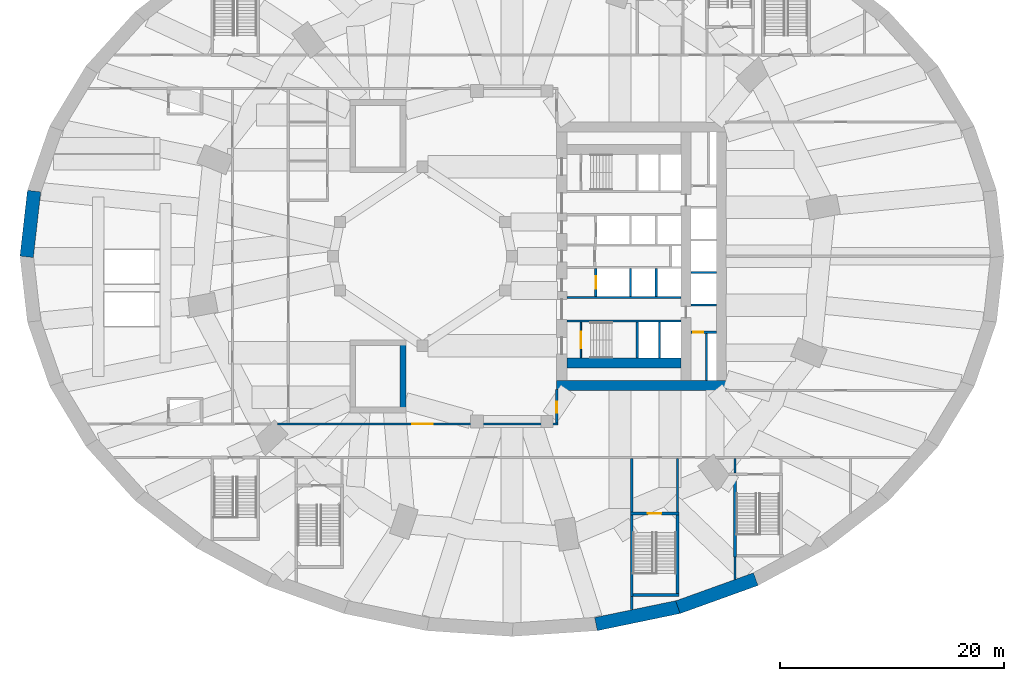
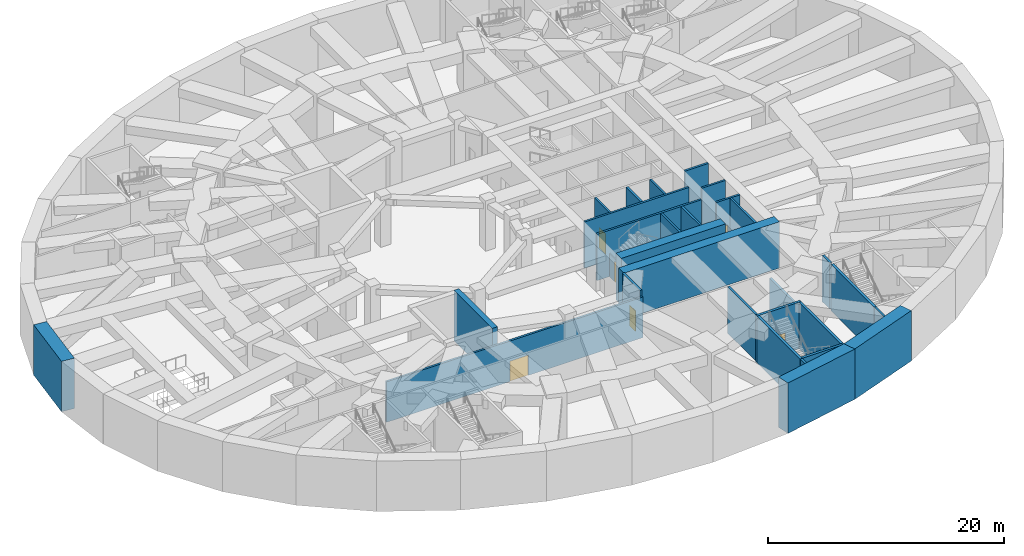
# One storey, part 5 of 14: 30 walls, 6 doors, 6 openings.
"""IFC4 building model written with IfcOpenShell, lengths in metres."""

from ifc_helpers import new_model, si_unit, direction, frame, frame_2d, origin, place, context, subcontext, project, spatial, rectangle, extrude, material, layer, layer_set, type_object, element, fill, save


model = new_model("IFC4")

# Units and contexts
model_context = context("Model", 3, precision=1e-05, world=origin(), true_north=direction((0.0, 1.0)))
body_context = subcontext(model_context, "Body", "Model", "MODEL_VIEW")
ifc_project = project(units=[si_unit("LENGTHUNIT", "METRE"), si_unit("AREAUNIT", "SQUARE_METRE"), si_unit("VOLUMEUNIT", "CUBIC_METRE"), si_unit("PLANEANGLEUNIT", "RADIAN"), si_unit("MASSUNIT", "GRAM", prefix="KILO")], contexts=[model_context])

# Site, building, storey
site_placement = place(None, origin())
site = spatial("IfcSite", under=ifc_project, at=site_placement, CompositionType="ELEMENT")
building_placement = place(site_placement, origin())
building = spatial("IfcBuilding", under=site, at=building_placement, Name="Taillehof Tower", CompositionType="ELEMENT")
storey_placement = place(building_placement, frame((0.0, 0.0, -5.199951171875)))
storey = spatial("IfcBuildingStorey", under=building, at=storey_placement, Name="B1", CompositionType="ELEMENT", Elevation=-5.199951171875)

# Wall, opening, door
ifc_material_1 = material(Name="Calcium silicate blockwork", Category="masonry")
ifc_layer_1 = layer(ifc_material_1, 0.199951171875)
ifc_layer_set_1 = layer_set([ifc_layer_1], Name="Compartment wall EI 60 200 mm")
wall_type_1 = type_object("IfcWallType", Name="Compartment wall EI 60 200 mm", PredefinedType="PARTITIONING", material=ifc_layer_set_1)
wall_1_placement = place(storey_placement, frame((-20.97119140625, -15.0, 0.0), z_axis=(0.0, 0.0, 1.0), x_axis=(1.0, 0.0, 0.0)))
wall_1 = element("IfcWall", 1, at=wall_1_placement, inside=storey, type_object=wall_type_1, Name="Wall B1-14 / B1-18", PredefinedType="PARTITIONING", context=body_context, shape_type="SweptSolid", body=[
    extrude(rectangle(XDim=25.0712890625, YDim=0.199951171875, at=frame_2d((12.53564453125, 0.0))), origin(), (0.0, 0.0, 1.0), 4.18994140625),
])
opening_1_placement = place(wall_1_placement, frame((12.071044921875, 0.0, 0.0)))
opening_1 = element("IfcOpeningElement", 2, at=opening_1_placement, cuts=wall_1, Name="Opening DB155", PredefinedType="OPENING", context=body_context, shape_type="SweptSolid", body=[
    extrude(rectangle(XDim=1.800048828125, YDim=2.10009765625, at=frame_2d((0.89990234375, 1.050048828125))), frame((0.0, 0.10986328125, 0.0), z_axis=(0.0, -1.0, 0.0), x_axis=(1.0, 0.0, 0.0)), (0.0, 0.0, 1.0), 0.219970703125),
])
ifc_material_2 = material(Name="Hollow metal door set")
door_type_1 = type_object("IfcDoorType", Name="Double door 1800 x 2100 FD60S", OperationType="DOUBLE_DOOR_SINGLE_SWING", PredefinedType="DOOR", material=ifc_material_2)
door_1_placement = place(opening_1_placement, origin())
door_1 = element("IfcDoor", 3, at=door_1_placement, inside=storey, type_object=door_type_1, Name="Door DB155", OperationType="DOUBLE_DOOR_SINGLE_SWING", OverallHeight=2.10009765625, OverallWidth=1.800048828125, PredefinedType="DOOR", context=body_context, shape_type="SweptSolid", body=[
    extrude(rectangle(XDim=1.800048828125, YDim=2.10009765625, at=frame_2d((0.89990234375, 1.050048828125))), frame((0.0, 0.02490234375, 0.0), z_axis=(0.0, -1.0, 0.0), x_axis=(1.0, 0.0, 0.0)), (0.0, 0.0, 1.0), 0.050048828125),
])
fill(opening_1, door_1)

wall_2_placement = place(storey_placement, frame((4.0, -14.89990234375, 0.0), z_axis=(0.0, 0.0, 1.0), x_axis=(0.0, 1.0, 0.0)))
wall_2 = element("IfcWall", 4, at=wall_2_placement, inside=storey, type_object=wall_type_1, Name="Wall B1-16 / B1-18", PredefinedType="PARTITIONING", context=body_context, shape_type="SweptSolid", body=[
    extrude(rectangle(XDim=3.0, YDim=0.199951171875, at=frame_2d((1.5, 0.0))), origin(), (0.0, 0.0, 1.0), 4.7900390625),
])
opening_2_placement = place(wall_2_placement, frame((0.89990234375, 0.0, 0.0)))
opening_2 = element("IfcOpeningElement", 5, at=opening_2_placement, cuts=wall_2, Name="Opening DB157", PredefinedType="OPENING", context=body_context, shape_type="SweptSolid", body=[
    extrude(rectangle(XDim=1.0, YDim=2.10009765625, at=frame_2d((0.5, 1.050048828125))), frame((0.0, 0.10986328125, 0.0), z_axis=(0.0, -1.0, 0.0), x_axis=(1.0, 0.0, 0.0)), (0.0, 0.0, 1.0), 0.219970703125),
])
ifc_material_3 = material(Name="Hollow metal door set")
door_type_2 = type_object("IfcDoorType", Name="Single door 1000 x 2100 FD60S", OperationType="SINGLE_SWING_LEFT", PredefinedType="DOOR", material=ifc_material_3)
door_2_placement = place(opening_2_placement, origin())
door_2 = element("IfcDoor", 6, at=door_2_placement, inside=storey, type_object=door_type_2, Name="Door DB157", OperationType="SINGLE_SWING_LEFT", OverallHeight=2.10009765625, OverallWidth=1.0, PredefinedType="DOOR", context=body_context, shape_type="SweptSolid", body=[
    extrude(rectangle(XDim=1.0, YDim=2.10009765625, at=frame_2d((0.5, 1.050048828125))), frame((0.0, 0.02490234375, 0.0), z_axis=(0.0, -1.0, 0.0), x_axis=(1.0, 0.0, 0.0)), (0.0, 0.0, 1.0), 0.050048828125),
])
fill(opening_2, door_2)

# Walls
wall_3_placement = place(storey_placement, frame((10.699951171875, -31.59619140625, 0.0), z_axis=(0.0, 0.0, 1.0), x_axis=(0.0, 1.0, 0.0)))
element("IfcWall", 7, at=wall_3_placement, inside=storey, type_object=wall_type_1, Name="Wall B1-30 / B1-32", PredefinedType="PARTITIONING", context=body_context, shape_type="SweptSolid", body=[
    extrude(rectangle(XDim=1.18115234375, YDim=0.199951171875, at=frame_2d((0.590576171875, 0.0))), origin(), (0.0, 0.0, 1.0), 4.7900390625),
])
wall_4_placement = place(storey_placement, frame((10.699951171875, -22.875, 0.0), z_axis=(0.0, 0.0, 1.0), x_axis=(0.0, 1.0, 0.0)))
element("IfcWall", 8, at=wall_4_placement, inside=storey, type_object=wall_type_1, Name="Wall B1-30 / B1-31", PredefinedType="PARTITIONING", context=body_context, shape_type="SweptSolid", body=[
    extrude(rectangle(XDim=4.77490234375, YDim=0.199951171875, at=frame_2d((2.387451171875, 0.0))), origin(), (0.0, 0.0, 1.0), 4.7900390625),
])
wall_5_placement = place(storey_placement, frame((14.800048828125, -22.875, 0.0), z_axis=(0.0, 0.0, 1.0), x_axis=(0.0, 1.0, 0.0)))
element("IfcWall", 9, at=wall_5_placement, inside=storey, type_object=wall_type_1, Name="Wall B1-31 / B1-32", PredefinedType="PARTITIONING", context=body_context, shape_type="SweptSolid", body=[
    extrude(rectangle(XDim=4.77490234375, YDim=0.199951171875, at=frame_2d((2.387451171875, 0.0))), origin(), (0.0, 0.0, 1.0), 4.239990234375),
])
wall_6_placement = place(storey_placement, frame((19.949951171875, -28.89306640625, 0.0), z_axis=(0.0, 0.0, 1.0), x_axis=(0.0, 1.0, 0.0)))
element("IfcWall", 10, at=wall_6_placement, inside=storey, type_object=wall_type_1, Name="Wall B1-32 / B1-34", PredefinedType="PARTITIONING", context=body_context, shape_type="SweptSolid", body=[
    extrude(rectangle(XDim=1.97802734375, YDim=0.199951171875, at=frame_2d((0.989013671875, 0.0))), origin(), (0.0, 0.0, 1.0), 4.7900390625),
])
wall_7_placement = place(storey_placement, frame((19.949951171875, -19.375, 0.0), z_axis=(0.0, 0.0, 1.0), x_axis=(0.0, 1.0, 0.0)))
element("IfcWall", 11, at=wall_7_placement, inside=storey, type_object=wall_type_1, Name="Wall B1-32 / B1-33", PredefinedType="PARTITIONING", context=body_context, shape_type="SweptSolid", body=[
    extrude(rectangle(XDim=1.27490234375, YDim=0.199951171875, at=frame_2d((0.637451171875, 0.0))), origin(), (0.0, 0.0, 1.0), 4.7900390625),
])

# Wall, opening, door
ifc_material_4 = material(Name="Calcium silicate masonry", Category="masonry")
ifc_layer_2 = layer(ifc_material_4, 0.199951171875)
ifc_layer_set_2 = layer_set([ifc_layer_2], Name="Compartment wall calcium silicate 200")
wall_type_2 = type_object("IfcWallType", Name="Compartment wall calcium silicate 200", PredefinedType="PARTITIONING", material=ifc_layer_set_2)
wall_8_placement = place(storey_placement, frame((16.0, -6.800048828125, 0.0), z_axis=(0.0, 0.0, 1.0), x_axis=(1.0, 0.0, 0.0)))
wall_8 = element("IfcWall", 12, at=wall_8_placement, inside=storey, type_object=wall_type_2, Name="Compartment wall FW", PredefinedType="PARTITIONING", context=body_context, shape_type="SweptSolid", body=[
    extrude(rectangle(XDim=2.300048828125, YDim=0.199951171875, at=frame_2d((1.14990234375, 0.0))), origin(), (0.0, 0.0, 1.0), 4.7900390625),
])
opening_3_placement = place(wall_8_placement, frame((0.199951171875, 0.0, 0.0)))
opening_3 = element("IfcOpeningElement", 13, at=opening_3_placement, cuts=wall_8, Name="Opening DB114", PredefinedType="OPENING", context=body_context, shape_type="SweptSolid", body=[
    extrude(rectangle(XDim=0.89990234375, YDim=2.10009765625, at=frame_2d((0.449951171875, 1.050048828125))), frame((0.0, 0.10986328125, 0.0), z_axis=(0.0, -1.0, 0.0), x_axis=(1.0, 0.0, 0.0)), (0.0, 0.0, 1.0), 0.219970703125),
])
ifc_material_5 = material(Name="Steel-faced fire door", Category="steel")
door_type_3 = type_object("IfcDoorType", Name="Riser and service room door 900x2100", OperationType="SINGLE_SWING_LEFT", PredefinedType="DOOR", material=ifc_material_5)
door_3_placement = place(opening_3_placement, origin())
door_3 = element("IfcDoor", 14, at=door_3_placement, inside=storey, type_object=door_type_3, Name="Door Comms Room", OperationType="SINGLE_SWING_LEFT", OverallHeight=2.10009765625, OverallWidth=0.89990234375, PredefinedType="DOOR", context=body_context, shape_type="SweptSolid", body=[
    extrude(rectangle(XDim=0.89990234375, YDim=2.10009765625, at=frame_2d((0.449951171875, 1.050048828125))), frame((0.0, 0.02490234375, 0.0), z_axis=(0.0, -1.0, 0.0), x_axis=(1.0, 0.0, 0.0)), (0.0, 0.0, 1.0), 0.050048828125),
])
fill(opening_3, door_3)

# Walls
wall_9_placement = place(storey_placement, frame((17.39990234375, -11.10009765625, 0.0), z_axis=(0.0, 0.0, 1.0), x_axis=(0.0, 1.0, 0.0)))
element("IfcWall", 15, at=wall_9_placement, inside=storey, type_object=wall_type_2, Name="Compartment wall FW", PredefinedType="PARTITIONING", context=body_context, shape_type="SweptSolid", body=[
    extrude(rectangle(XDim=4.2001953125, YDim=0.199951171875, at=frame_2d((2.10009765625, 0.0))), origin(), (0.0, 0.0, 1.0), 4.7900390625),
])
ifc_material_6 = material(Name="Concrete C80/95", Category="concrete")
ifc_layer_3 = layer(ifc_material_6, 0.89990234375)
ifc_layer_set_3 = layer_set([ifc_layer_3], Name="Core wall C80/95 900")
wall_type_3 = type_object("IfcWallType", Name="Core wall C80/95 900", PredefinedType="SHEAR", material=ifc_layer_set_3)
wall_10_placement = place(storey_placement, frame((4.0, -11.550048828125, 0.0), z_axis=(0.0, 0.0, 1.0), x_axis=(1.0, 0.0, 0.0)))
element("IfcWall", 16, at=wall_10_placement, inside=storey, type_object=wall_type_3, Name="Core wall CW04", PredefinedType="SHEAR", context=body_context, shape_type="SweptSolid", body=[
    extrude(rectangle(XDim=15.199951171875, YDim=0.89990234375, at=frame_2d((7.60009765625, 0.0))), origin(), (0.0, 0.0, 1.0), 4.7900390625),
])
wall_11_placement = place(storey_placement, frame((4.89990234375, -9.550048828125, 0.0), z_axis=(0.0, 0.0, 1.0), x_axis=(1.0, 0.0, 0.0)))
element("IfcWall", 17, at=wall_11_placement, inside=storey, type_object=wall_type_3, Name="Core wall CW07", PredefinedType="SHEAR", context=body_context, shape_type="SweptSolid", body=[
    extrude(rectangle(XDim=10.2001953125, YDim=0.89990234375, at=frame_2d((5.10009765625, 0.0))), origin(), (0.0, 0.0, 1.0), 4.7900390625),
])
ifc_material_7 = material(Name="Concrete C35/45", Category="concrete")
ifc_layer_4 = layer(ifc_material_7, 1.199951171875)
ifc_layer_set_4 = layer_set([ifc_layer_4], Name="Diaphragm wall 1200")
wall_type_4 = type_object("IfcWallType", Name="Diaphragm wall 1200", PredefinedType="USERDEFINED", material=ifc_layer_set_4)
wall_12_placement = place(storey_placement, frame((-42.73681640625, 5.822509765625, 0.0), z_axis=(0.0, 0.0, 1.0), x_axis=(-0.112525170728, -0.993648874579, 0.0)))
element("IfcWall", 18, at=wall_12_placement, inside=storey, type_object=wall_type_4, Name="Diaphragm wall DW18", ObjectType="Retaining wall", PredefinedType="USERDEFINED", context=body_context, shape_type="SweptSolid", body=[
    extrude(rectangle(XDim=5.912353515625, YDim=1.199951171875, at=frame_2d((2.9560546875, 0.0))), origin(), (0.0, 0.0, 1.0), 5.199951171875),
])
wall_13_placement = place(storey_placement, frame((7.507568359375, -32.898193359375, 0.0), z_axis=(0.0, 0.0, 1.0), x_axis=(0.979235314674, 0.202726906196, 0.0)))
element("IfcWall", 19, at=wall_13_placement, inside=storey, type_object=wall_type_4, Name="Diaphragm wall DW29", ObjectType="Retaining wall", PredefinedType="USERDEFINED", context=body_context, shape_type="SweptSolid", body=[
    extrude(rectangle(XDim=7.5869140625, YDim=1.199951171875, at=frame_2d((3.79345703125, 0.0))), origin(), (0.0, 0.0, 1.0), 5.199951171875),
])
wall_14_placement = place(storey_placement, frame((14.836181640625, -31.388427734375, 0.0), z_axis=(0.0, 0.0, 1.0), x_axis=(0.940789454531, 0.338991448628, 0.0)))
element("IfcWall", 20, at=wall_14_placement, inside=storey, type_object=wall_type_4, Name="Diaphragm wall DW30", ObjectType="Retaining wall", PredefinedType="USERDEFINED", context=body_context, shape_type="SweptSolid", body=[
    extrude(rectangle(XDim=7.40576171875, YDim=1.199951171875, at=frame_2d((3.702880859375, 0.0))), origin(), (0.0, 0.0, 1.0), 5.199951171875),
])
ifc_material_8 = material(Name="Concrete C50/60", Category="concrete")
ifc_layer_5 = layer(ifc_material_8, 0.199951171875)
ifc_layer_set_5 = layer_set([ifc_layer_5], Name="Shaft wall C50/60 200")
wall_type_5 = type_object("IfcWallType", Name="Shaft wall C50/60 200", PredefinedType="SHEAR", material=ifc_layer_set_5)
for number, where, z_axis, x_axis, name in (
    (21, (4.89990234375, -3.699951171875, 0.0), (0.0, 0.0, 1.0), (1.0, 0.0, 0.0), "Shaft wall SW"),
    (22, (4.89990234375, -5.800048828125, 0.0), (0.0, 0.0, 1.0), (1.0, 0.0, 0.0), "Shaft wall SW"),
):
    element("IfcWall", number, at=place(storey_placement, frame(where, z_axis=z_axis, x_axis=x_axis)), inside=storey, type_object=wall_type_5, Name=name, PredefinedType="SHEAR", context=body_context, shape_type="SweptSolid", body=[
        extrude(rectangle(XDim=10.2001953125, YDim=0.199951171875, at=frame_2d((5.10009765625, 0.0))), origin(), (0.0, 0.0, 1.0), 4.7900390625),
    ])
for number, where, z_axis, x_axis, name in (
    (23, (11.199951171875, -9.10009765625, 0.0), (0.0, 0.0, 1.0), (0.0, 1.0, 0.0), "Shaft wall SW"),
    (24, (13.199951171875, -9.10009765625, 0.0), (0.0, 0.0, 1.0), (0.0, 1.0, 0.0), "Shaft wall SW"),
):
    element("IfcWall", number, at=place(storey_placement, frame(where, z_axis=z_axis, x_axis=x_axis)), inside=storey, type_object=wall_type_5, Name=name, PredefinedType="SHEAR", context=body_context, shape_type="SweptSolid", body=[
        extrude(rectangle(XDim=3.2001953125, YDim=0.199951171875, at=frame_2d((1.60009765625, 0.0))), origin(), (0.0, 0.0, 1.0), 4.7900390625),
    ])

# Wall, opening, door
wall_15_placement = place(storey_placement, frame((7.5, -3.60009765625, 0.0), z_axis=(0.0, 0.0, 1.0), x_axis=(0.0, 1.0, 0.0)))
wall_15 = element("IfcWall", 25, at=wall_15_placement, inside=storey, type_object=wall_type_5, Name="Shaft wall SW", PredefinedType="SHEAR", context=body_context, shape_type="SweptSolid", body=[
    extrude(rectangle(XDim=2.5, YDim=0.199951171875, at=frame_2d((1.25, 0.0))), origin(), (0.0, 0.0, 1.0), 4.7900390625),
])
opening_4_placement = place(wall_15_placement, frame((0.699951171875, 0.0, 0.0)))
opening_4 = element("IfcOpeningElement", 26, at=opening_4_placement, cuts=wall_15, Name="Opening LD1", PredefinedType="OPENING", context=body_context, shape_type="SweptSolid", body=[
    extrude(rectangle(XDim=1.10009765625, YDim=2.10009765625, at=frame_2d((0.550048828125, 1.050048828125))), frame((0.0, 0.10986328125, 0.0), z_axis=(0.0, -1.0, 0.0), x_axis=(1.0, 0.0, 0.0)), (0.0, 0.0, 1.0), 0.219970703125),
])
ifc_material_9 = material(Name="Stainless steel", Category="steel")
door_type_4 = type_object("IfcDoorType", Name="Lift landing door LD1 1100x2100", OperationType="DOUBLE_DOOR_SLIDING", PredefinedType="DOOR", material=ifc_material_9)
door_4_placement = place(opening_4_placement, origin())
door_4 = element("IfcDoor", 27, at=door_4_placement, inside=storey, type_object=door_type_4, Name="Landing door FF2", OperationType="DOUBLE_DOOR_SLIDING", OverallHeight=2.10009765625, OverallWidth=1.10009765625, PredefinedType="DOOR", context=body_context, shape_type="SweptSolid", body=[
    extrude(rectangle(XDim=1.10009765625, YDim=2.10009765625, at=frame_2d((0.550048828125, 1.050048828125))), frame((0.0, 0.02490234375, 0.0), z_axis=(0.0, -1.0, 0.0), x_axis=(1.0, 0.0, 0.0)), (0.0, 0.0, 1.0), 0.050048828125),
])
fill(opening_4, door_4)

# Walls
for number, where, z_axis, x_axis, name in (
    (28, (10.60009765625, -3.60009765625, 0.0), (0.0, 0.0, 1.0), (0.0, 1.0, 0.0), "Shaft wall SW"),
    (29, (12.89990234375, -3.60009765625, 0.0), (0.0, 0.0, 1.0), (0.0, 1.0, 0.0), "Shaft wall SW"),
):
    element("IfcWall", number, at=place(storey_placement, frame(where, z_axis=z_axis, x_axis=x_axis)), inside=storey, type_object=wall_type_5, Name=name, PredefinedType="SHEAR", context=body_context, shape_type="SweptSolid", body=[
        extrude(rectangle(XDim=2.5, YDim=0.199951171875, at=frame_2d((1.25, 0.0))), origin(), (0.0, 0.0, 1.0), 4.7900390625),
    ])
for number, where, z_axis, x_axis, name in (
    (30, (16.0, -4.35009765625, 0.0), (0.0, 0.0, 1.0), (1.0, 0.0, 0.0), "Shaft wall SW"),
    (31, (16.0, -1.449951171875, 0.0), (0.0, 0.0, 1.0), (1.0, 0.0, 0.0), "Shaft wall SW"),
):
    element("IfcWall", number, at=place(storey_placement, frame(where, z_axis=z_axis, x_axis=x_axis)), inside=storey, type_object=wall_type_5, Name=name, PredefinedType="SHEAR", context=body_context, shape_type="SweptSolid", body=[
        extrude(rectangle(XDim=2.300048828125, YDim=0.199951171875, at=frame_2d((1.14990234375, 0.0))), origin(), (0.0, 0.0, 1.0), 4.7900390625),
    ])
ifc_material_10 = material(Name="Concrete C60/75", Category="concrete")
ifc_layer_6 = layer(ifc_material_10, 0.5)
ifc_layer_set_6 = layer_set([ifc_layer_6], Name="Stair enclosure base wall 500")
wall_type_6 = type_object("IfcWallType", Name="Stair enclosure base wall 500", PredefinedType="SHEAR", material=ifc_layer_set_6)
wall_16_placement = place(storey_placement, frame((-9.75, -14.0, 0.0), z_axis=(0.0, 0.0, 1.0), x_axis=(0.0, 1.0, 0.0)))
element("IfcWall", 32, at=wall_16_placement, inside=storey, type_object=wall_type_6, Name="Enclosure base wall S4-2", PredefinedType="SHEAR", context=body_context, shape_type="SweptSolid", body=[
    extrude(rectangle(XDim=6.5, YDim=0.5, at=frame_2d((3.25, 0.0))), origin(), (0.0, 0.0, 1.0), 5.199951171875),
])

# Wall, opening, door
ifc_material_11 = material(Name="Concrete C50/60", Category="concrete")
ifc_layer_7 = layer(ifc_material_11, 0.1201171875)
ifc_layer_set_7 = layer_set([ifc_layer_7], Name="Stair lobby wall C50/60 120")
wall_type_7 = type_object("IfcWallType", Name="Stair lobby wall C50/60 120", PredefinedType="SHEAR", material=ifc_layer_set_7)
wall_17_placement = place(storey_placement, frame((6.159912109375, -9.10009765625, 0.0), z_axis=(0.0, 0.0, 1.0), x_axis=(0.0, 1.0, 0.0)))
wall_17 = element("IfcWall", 33, at=wall_17_placement, inside=storey, type_object=wall_type_7, Name="Compartment wall SW", PredefinedType="SHEAR", context=body_context, shape_type="SweptSolid", body=[
    extrude(rectangle(XDim=3.2001953125, YDim=0.1201171875, at=frame_2d((1.60009765625, 0.0))), origin(), (0.0, 0.0, 1.0), 2.389892578125),
])
opening_5_placement = place(wall_17_placement, frame((0.85009765625, 0.0, 0.0)))
opening_5 = element("IfcOpeningElement", 34, at=opening_5_placement, cuts=wall_17, Name="Opening DB109", PredefinedType="OPENING", context=body_context, shape_type="SweptSolid", body=[
    extrude(rectangle(XDim=1.5, YDim=2.10009765625, at=frame_2d((0.75, 1.050048828125))), frame((0.0, 0.070068359375, 0.0), z_axis=(0.0, -1.0, 0.0), x_axis=(1.0, 0.0, 0.0)), (0.0, 0.0, 1.0), 0.14013671875),
])
ifc_material_12 = material(Name="Steel-faced fire door", Category="steel")
door_type_5 = type_object("IfcDoorType", Name="Stair door 1500x2100", OperationType="DOUBLE_DOOR_SINGLE_SWING", PredefinedType="DOOR", material=ifc_material_12)
door_5_placement = place(opening_5_placement, origin())
door_5 = element("IfcDoor", 35, at=door_5_placement, inside=storey, type_object=door_type_5, Name="Stair lobby door S2", OperationType="DOUBLE_DOOR_SINGLE_SWING", OverallHeight=2.10009765625, OverallWidth=1.5, PredefinedType="DOOR", context=body_context, shape_type="SweptSolid", body=[
    extrude(rectangle(XDim=1.5, YDim=2.10009765625, at=frame_2d((0.75, 1.050048828125))), frame((0.0, 0.02490234375, 0.0), z_axis=(0.0, -1.0, 0.0), x_axis=(1.0, 0.0, 0.0)), (0.0, 0.0, 1.0), 0.050048828125),
])
fill(opening_5, door_5)

# Wall
ifc_material_13 = material(Name="Concrete C40/50", Category="concrete")
ifc_layer_8 = layer(ifc_material_13, 0.25)
ifc_layer_set_8 = layer_set([ifc_layer_8], Name="Stair wall EI 120 250 mm")
wall_type_8 = type_object("IfcWallType", Name="Stair wall EI 120 250 mm", PredefinedType="SOLIDWALL", material=ifc_layer_set_8)
wall_18_placement = place(storey_placement, frame((10.824951171875, -30.2900390625, 0.0), z_axis=(0.0, 0.0, 1.0), x_axis=(1.0, 0.0, 0.0)))
element("IfcWall", 36, at=wall_18_placement, inside=storey, type_object=wall_type_8, Name="Wall B1-06 / B1-32", PredefinedType="SOLIDWALL", context=body_context, shape_type="SweptSolid", body=[
    extrude(rectangle(XDim=4.10009765625, YDim=0.25, at=frame_2d((2.050048828125, 0.0))), origin(), (0.0, 0.0, 1.0), 4.7900390625),
])

# Wall, opening, door
wall_19_placement = place(storey_placement, frame((10.574951171875, -23.0, 0.0), z_axis=(0.0, 0.0, 1.0), x_axis=(1.0, 0.0, 0.0)))
wall_19 = element("IfcWall", 37, at=wall_19_placement, inside=storey, type_object=wall_type_8, Name="Wall B1-06 / B1-31", PredefinedType="SOLIDWALL", context=body_context, shape_type="SweptSolid", body=[
    extrude(rectangle(XDim=4.35009765625, YDim=0.25, at=frame_2d((2.175048828125, 0.0))), origin(), (0.0, 0.0, 1.0), 4.7900390625),
])
opening_6_placement = place(wall_19_placement, frame((1.574951171875, 0.0, 0.0)))
opening_6 = element("IfcOpeningElement", 38, at=opening_6_placement, cuts=wall_19, Name="Opening DB141", PredefinedType="OPENING", context=body_context, shape_type="SweptSolid", body=[
    extrude(rectangle(XDim=1.199951171875, YDim=2.10009765625, at=frame_2d((0.60009765625, 1.050048828125))), frame((0.0, 0.135009765625, 0.0), z_axis=(0.0, -1.0, 0.0), x_axis=(1.0, 0.0, 0.0)), (0.0, 0.0, 1.0), 0.27001953125),
])
ifc_material_14 = material(Name="Hollow metal door set")
door_type_6 = type_object("IfcDoorType", Name="Single door 1200 x 2100 FD120S", OperationType="SINGLE_SWING_LEFT", PredefinedType="DOOR", material=ifc_material_14)
door_6_placement = place(opening_6_placement, origin())
door_6 = element("IfcDoor", 39, at=door_6_placement, inside=storey, type_object=door_type_6, Name="Door DB141", OperationType="SINGLE_SWING_LEFT", OverallHeight=2.10009765625, OverallWidth=1.199951171875, PredefinedType="DOOR", context=body_context, shape_type="SweptSolid", body=[
    extrude(rectangle(XDim=1.199951171875, YDim=2.10009765625, at=frame_2d((0.60009765625, 1.050048828125))), frame((0.0, 0.02490234375, 0.0), z_axis=(0.0, -1.0, 0.0), x_axis=(1.0, 0.0, 0.0)), (0.0, 0.0, 1.0), 0.050048828125),
])
fill(opening_6, door_6)

# Walls
wall_20_placement = place(storey_placement, frame((10.699951171875, -30.4150390625, 0.0), z_axis=(0.0, 0.0, 1.0), x_axis=(0.0, 1.0, 0.0)))
element("IfcWall", 40, at=wall_20_placement, inside=storey, type_object=wall_type_8, Name="Wall B1-06 / B1-30", PredefinedType="SOLIDWALL", context=body_context, shape_type="SweptSolid", body=[
    extrude(rectangle(XDim=7.2900390625, YDim=0.25, at=frame_2d((3.64501953125, 0.0))), origin(), (0.0, 0.0, 1.0), 4.7900390625),
])
wall_21_placement = place(storey_placement, frame((14.800048828125, -30.1650390625, 0.0), z_axis=(0.0, 0.0, 1.0), x_axis=(0.0, 1.0, 0.0)))
element("IfcWall", 41, at=wall_21_placement, inside=storey, type_object=wall_type_8, Name="Wall B1-06 / B1-32", PredefinedType="SOLIDWALL", context=body_context, shape_type="SweptSolid", body=[
    extrude(rectangle(XDim=7.0400390625, YDim=0.25, at=frame_2d((3.52001953125, 0.0))), origin(), (0.0, 0.0, 1.0), 4.7900390625),
])
wall_22_placement = place(storey_placement, frame((19.949951171875, -26.9150390625, 0.0), z_axis=(0.0, 0.0, 1.0), x_axis=(0.0, 1.0, 0.0)))
element("IfcWall", 42, at=wall_22_placement, inside=storey, type_object=wall_type_8, Name="Wall B1-04 / B1-32", PredefinedType="SOLIDWALL", context=body_context, shape_type="SweptSolid", body=[
    extrude(rectangle(XDim=7.2900390625, YDim=0.25, at=frame_2d((3.64501953125, 0.0))), origin(), (0.0, 0.0, 1.0), 4.7900390625),
])

save(model, "model.ifc")
